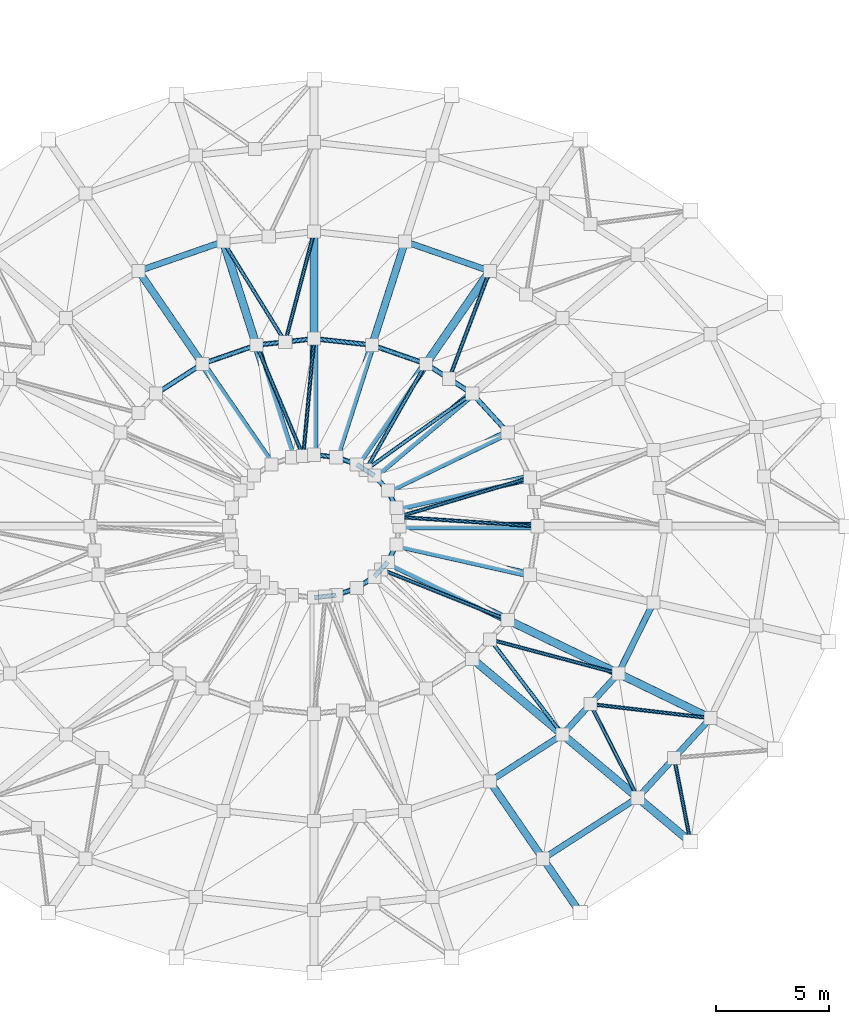
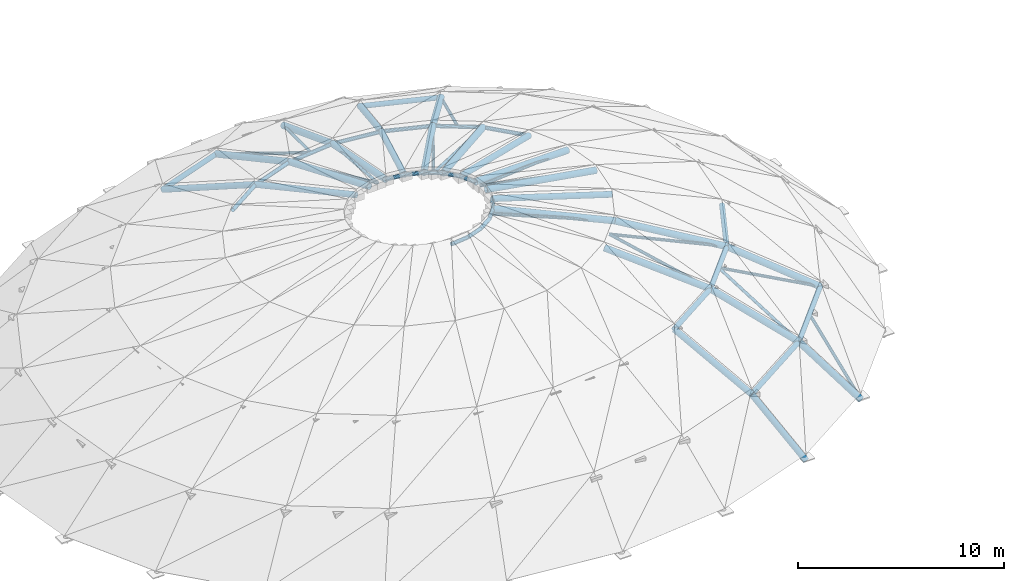
# One storey, part 3 of 11: 62 members.
"""IFC4 building model written with IfcOpenShell, lengths in metres."""

import ifcopenshell
import ifcopenshell.guid

model = None  # the IFC model being written
_history = None  # IfcOwnerHistory: only IFC2X3 demands one
_inside = {}  # id of a spatial element -> (the spatial element, [elements in it])
_under = {}  # id of a project, library or spatial element -> (it, [spatial elements below it])
_declared = {}  # id of a project -> (the project, [libraries it declares])
_typed = {}  # id of a type object -> (the type object, [elements of that type])
_made_of = {}  # id of a material, layer set ... -> (it, [elements and type objects made of it])


def new_model(schema):
    """Start an empty IFC model of exactly this schema.

    Asked for "IFC4X3", IfcOpenShell would pick the latest addendum, in which some entities
    have other attributes; the version numbers below select the first issue.
    IFC2X3 requires an IfcOwnerHistory on every rooted entity: one is made here for all.
    """
    global model, _history
    if schema == "IFC4X3":
        model = ifcopenshell.file(schema_version=(4, 3, 0, 0))
    else:
        model = ifcopenshell.file(schema=schema)
    _inside.clear()
    _under.clear()
    _declared.clear()
    _typed.clear()
    _made_of.clear()
    _history = None
    if model.schema == "IFC2X3":
        org = make("IfcOrganization", Name="unknown")
        user = make(
            "IfcPersonAndOrganization",
            ThePerson=make("IfcPerson", FamilyName="unknown"),
            TheOrganization=org,
        )
        app = make(
            "IfcApplication",
            ApplicationDeveloper=org,
            Version="unknown",
            ApplicationFullName="unknown",
            ApplicationIdentifier="unknown",
        )
        _history = make(
            "IfcOwnerHistory",
            OwningUser=user,
            OwningApplication=app,
            ChangeAction="ADDED",
            CreationDate=0,
        )
    return model


def make(cls, **values):
    """One entity of the class cls with the attributes given. An attribute that is None is left unset."""
    return model.create_entity(
        cls, **{name: value for name, value in values.items() if value is not None}
    )


def rooted(cls, **values):
    """An entity with a GlobalId (a new one), such as an element, a storey or a relation."""
    return make(cls, GlobalId=ifcopenshell.guid.new(), OwnerHistory=_history, **values)


def si_unit(unit_type, name, prefix=None):
    """IfcSIUnit, for example si_unit("LENGTHUNIT", "METRE", prefix="MILLI")."""
    return make("IfcSIUnit", UnitType=unit_type, Prefix=prefix, Name=name)


def assignment(units):
    """IfcUnitAssignment: the units of a project."""
    return None if units is None else make("IfcUnitAssignment", Units=units)


def point(xyz):
    """IfcCartesianPoint."""
    return None if xyz is None else make("IfcCartesianPoint", Coordinates=xyz)


def direction(xyz):
    """IfcDirection."""
    return None if xyz is None else make("IfcDirection", DirectionRatios=xyz)


def frame(location, z_axis=None, x_axis=None):
    """IfcAxis2Placement3D, a coordinate frame: its origin and axes. An axis left out is left unset."""
    return make(
        "IfcAxis2Placement3D",
        Location=point(location),
        Axis=direction(z_axis),
        RefDirection=direction(x_axis),
    )


def frame_2d(location, x_axis=None):
    """IfcAxis2Placement2D, a coordinate frame in the plane: its origin and x axis."""
    return make(
        "IfcAxis2Placement2D", Location=point(location), RefDirection=direction(x_axis)
    )


def origin():
    """The frame at (0, 0, 0) with its axes left unset."""
    return frame((0.0, 0.0, 0.0))


def origin_2d():
    """The frame at (0, 0) in the plane with its x axis left unset."""
    return frame_2d((0.0, 0.0))


def place(relative_to, where):
    """IfcLocalPlacement: puts the frame where relative to a parent placement (None: the world)."""
    return make(
        "IfcLocalPlacement", PlacementRelTo=relative_to, RelativePlacement=where
    )


def context(
    kind, dimensions, precision=None, world=None, true_north=None, identifier=None
):
    """IfcGeometricRepresentationContext, for example the 3D "Model" context."""
    return make(
        "IfcGeometricRepresentationContext",
        ContextIdentifier=identifier,
        ContextType=kind,
        CoordinateSpaceDimension=dimensions,
        Precision=precision,
        WorldCoordinateSystem=world,
        TrueNorth=true_north,
    )


def subcontext(parent, identifier, kind, view, scale=None):
    """IfcGeometricRepresentationSubContext, for example "Body" below "Model"."""
    return make(
        "IfcGeometricRepresentationSubContext",
        ContextIdentifier=identifier,
        ContextType=kind,
        ParentContext=parent,
        TargetScale=scale,
        TargetView=view,
    )


def project(units=None, contexts=None):
    """IfcProject with its units and contexts."""
    return rooted(
        "IfcProject",
        Name="project",
        RepresentationContexts=contexts,
        UnitsInContext=assignment(units),
    )


def spatial(cls, under=None, at=None, **own):
    """A site, building, storey or space (cls), placed at a placement, below another one or the project."""
    s = rooted(cls, ObjectPlacement=at, **own)
    if under is not None:
        _under.setdefault(under.id(), (under, []))[1].append(s)
    return s


def profile(cls, at=None, kind="AREA", **sizes):
    """A parametric profile (cls). Its sizes go by their IFC names, for example OverallWidth=200.0."""
    return make(cls, ProfileType=kind, Position=at, **sizes)


def hollow_circle(**sizes):
    """IfcCircleHollowProfileDef."""
    return profile("IfcCircleHollowProfileDef", **sizes)


def extrude(swept, where, along, depth):
    """IfcExtrudedAreaSolid: the profile swept, set in the frame where, extruded along a direction by depth."""
    return make(
        "IfcExtrudedAreaSolid",
        SweptArea=swept,
        Position=where,
        ExtrudedDirection=direction(along),
        Depth=depth,
    )


def shape(context_of_items, identifier, shape_type, items):
    """IfcShapeRepresentation: the items that make up one representation, for example the "Body"."""
    return make(
        "IfcShapeRepresentation",
        ContextOfItems=context_of_items,
        RepresentationIdentifier=identifier,
        RepresentationType=shape_type,
        Items=items,
    )


def material(Name=None, Category=None):
    """IfcMaterial."""
    return make("IfcMaterial", Name=Name, Category=Category)


def material_profile(
    of_material, cross_section, Name=None, Category=None, Priority=None
):
    """IfcMaterialProfile: a cross section and its material."""
    return make(
        "IfcMaterialProfile",
        Name=Name,
        Material=of_material,
        Profile=cross_section,
        Priority=Priority,
        Category=Category,
    )


def profile_set(profiles, Name=None, composite=None):
    """IfcMaterialProfileSet."""
    return make(
        "IfcMaterialProfileSet",
        Name=Name,
        MaterialProfiles=profiles,
        CompositeProfile=composite,
    )


def made_of(thing, what):
    """Note that an element or type object is made of a material, layer set ...; save() writes the relation."""
    if what is not None:
        _made_of.setdefault(what.id(), (what, []))[1].append(thing)
    return thing


def type_object(cls, material=None, **own):
    """A type object (cls), such as IfcWallType, which elements share."""
    return made_of(rooted(cls, **own), material)


def element(
    cls,
    number,
    at=None,
    inside=None,
    cuts=None,
    type_object=None,
    material=None,
    context=None,
    identifier="Body",
    shape_type=None,
    held_by="IfcProductDefinitionShape",
    body=None,
    shapes=None,
    **own,
):
    """One element of the class cls, such as IfcWall. Its Tag is "e" and its number.

    at: its placement. inside: the storey or other place that contains it. cuts: it is an
    opening in that element (IfcRelVoidsElement). A single representation is given by context,
    identifier, shape_type and body (its items); several are given by shapes. held_by: the class
    of the entity that holds the representations. save() writes the other relations.
    """
    e = rooted(cls, Tag="e%d" % number, ObjectPlacement=at, **own)
    if body is not None:
        shapes = [shape(context, identifier, shape_type, body)]
    if shapes is not None:
        e.Representation = make(held_by, Representations=shapes)
    if inside is not None:
        _inside.setdefault(inside.id(), (inside, []))[1].append(e)
    if cuts is not None:
        rooted(
            "IfcRelVoidsElement", RelatingBuildingElement=cuts, RelatedOpeningElement=e
        )
    if type_object is not None:
        _typed.setdefault(type_object.id(), (type_object, []))[1].append(e)
    return made_of(e, material)


def aggregate(whole, parts):
    """IfcRelAggregates: a whole, such as a stair, and the parts it consists of."""
    return rooted("IfcRelAggregates", RelatingObject=whole, RelatedObjects=parts)


def save(model, path):
    """Write the relations noted so far, then the file.

    IfcRelAggregates (storeys below a building ...), IfcRelContainedInSpatialStructure (elements
    in a storey), IfcRelDefinesByType, IfcRelAssociatesMaterial and IfcRelDeclares: one each for
    every whole, place, type object, material and project.
    """
    for whole, parts in _under.values():
        aggregate(whole, parts)
    for where, things in _inside.values():
        rooted(
            "IfcRelContainedInSpatialStructure",
            RelatedElements=things,
            RelatingStructure=where,
        )
    for kind, things in _typed.values():
        rooted("IfcRelDefinesByType", RelatedObjects=things, RelatingType=kind)
    for what, things in _made_of.values():
        rooted("IfcRelAssociatesMaterial", RelatedObjects=things, RelatingMaterial=what)
    for by, libraries in _declared.values():
        rooted("IfcRelDeclares", RelatingContext=by, RelatedDefinitions=libraries)
    model.write(path)


model = new_model("IFC4")

# Units and contexts
model_context = context("Model", 3, precision=1e-05, world=origin(), true_north=direction((0.0, 1.0)))
body_context = subcontext(model_context, "Body", "Model", "MODEL_VIEW")
ifc_project = project(units=[si_unit("LENGTHUNIT", "METRE"), si_unit("AREAUNIT", "SQUARE_METRE"), si_unit("VOLUMEUNIT", "CUBIC_METRE"), si_unit("PLANEANGLEUNIT", "RADIAN"), si_unit("MASSUNIT", "GRAM", prefix="KILO")], contexts=[model_context])

# Site, building, storey
site_placement = place(None, origin())
site = spatial("IfcSite", under=ifc_project, at=site_placement, CompositionType="ELEMENT")
building_placement = place(site_placement, origin())
building = spatial("IfcBuilding", under=site, at=building_placement, Name="Parian Resonance Hall", CompositionType="ELEMENT")
storey_placement = place(building_placement, frame((0.0, 0.0, 27.60009765625)))
storey = spatial("IfcBuildingStorey", under=building, at=storey_placement, Name="ROOF", CompositionType="ELEMENT", Elevation=27.60009765625)

# Members
ifc_material_1 = material(Name="Hollow structural steel S355", Category="steel")
ifc_material_profile_1 = material_profile(ifc_material_1, hollow_circle(Radius=0.084228515625, WallThickness=0.008056640625, at=origin_2d()), Name="CHS168.3x8")
ifc_profile_set_1 = profile_set([ifc_material_profile_1], Name="Hollow structural steel S355")
member_type_1 = type_object("IfcMemberType", Name="MEM-CHS168", PredefinedType="BRACE", material=ifc_profile_set_1)
member_1_placement = place(storey_placement, frame((53.912109375, 44.0, 0.60986328125), z_axis=(-0.984896799175, 0.065111695311, 0.160433045564), x_axis=(-0.065966173276, -0.997821859844, 0.0)))
element("IfcMember", 1, at=member_1_placement, inside=storey, type_object=member_type_1, Name="Dome sector K-brace 1.4A", PredefinedType="BRACE", context=body_context, shape_type="SweptSolid", body=[
    extrude(hollow_circle(Radius=0.084228515625, WallThickness=0.008056640625, at=origin_2d()), origin(), (0.0, 0.0, 1.0), 6.29541015625),
])
member_2_placement = place(storey_placement, frame((53.57421875, 46.15234375, 0.60986328125), z_axis=(-0.945748733242, -0.281089772588, 0.162935181336), x_axis=(0.284896914022, -0.958558161188, 0.0)))
element("IfcMember", 2, at=member_2_placement, inside=storey, type_object=member_type_1, Name="Dome sector K-brace 1.4B", PredefinedType="BRACE", context=body_context, shape_type="SweptSolid", body=[
    extrude(hollow_circle(Radius=0.084228515625, WallThickness=0.008056640625, at=origin_2d()), origin(), (0.0, 0.0, 1.0), 6.19873046875),
])
member_3_placement = place(storey_placement, frame((51.7880859375, 55.317138671875, -1.190185546875), z_axis=(-0.333514407723, -0.882171762884, 0.332477248262), x_axis=(0.935384598933, -0.353632085759, 0.0)))
element("IfcMember", 3, at=member_3_placement, inside=storey, type_object=member_type_1, Name="Dome sector K-brace 2.3B", PredefinedType="BRACE", context=body_context, shape_type="SweptSolid", body=[
    extrude(hollow_circle(Radius=0.084228515625, WallThickness=0.008056640625, at=origin_2d()), origin(), (0.0, 0.0, 1.0), 5.4140625),
])
member_4_placement = place(storey_placement, frame((51.0087890625, 49.88037109375, 0.60986328125), z_axis=(-0.800918636293, -0.573827010362, 0.171031869011), x_axis=(0.582408510243, -0.812896258569, 0.0)))
element("IfcMember", 4, at=member_4_placement, inside=storey, type_object=member_type_1, Name="Dome sector K-brace 2.4A", PredefinedType="BRACE", context=body_context, shape_type="SweptSolid", body=[
    extrude(hollow_circle(Radius=0.084228515625, WallThickness=0.008056640625, at=origin_2d()), origin(), (0.0, 0.0, 1.0), 5.9052734375),
])
member_5_placement = place(storey_placement, frame((48.9560546875, 51.201904296875, 0.60986328125), z_axis=(-0.485745159588, -0.854672263012, 0.1832674624), x_axis=(0.869397165305, -0.494113923058, 0.0)))
element("IfcMember", 5, at=member_5_placement, inside=storey, type_object=member_type_1, Name="Dome sector K-brace 2.4B", PredefinedType="BRACE", context=body_context, shape_type="SweptSolid", body=[
    extrude(hollow_circle(Radius=0.084228515625, WallThickness=0.008056640625, at=origin_2d()), origin(), (0.0, 0.0, 1.0), 5.51123046875),
])
member_6_placement = place(storey_placement, frame((44.0, 57.068115234375, -1.190185546875), z_axis=(-0.238875521293, -0.911355124537, 0.335216828796), x_axis=(0.967323487086, -0.253545402901, 0.0)))
element("IfcMember", 6, at=member_6_placement, inside=storey, type_object=member_type_1, Name="Dome sector K-brace 3.3A", PredefinedType="BRACE", context=body_context, shape_type="SweptSolid", body=[
    extrude(hollow_circle(Radius=0.084228515625, WallThickness=0.008056640625, at=origin_2d()), origin(), (0.0, 0.0, 1.0), 5.369873046875),
])
member_7_placement = place(storey_placement, frame((39.968505859375, 56.622802734375, -1.190185546875), z_axis=(0.49703351156, -0.804374066448, 0.325484330823), x_axis=(0.850696683556, 0.525656877238, 0.0)))
element("IfcMember", 7, at=member_7_placement, inside=storey, type_object=member_type_1, Name="Dome sector K-brace 3.3B", PredefinedType="BRACE", context=body_context, shape_type="SweptSolid", body=[
    extrude(hollow_circle(Radius=0.084228515625, WallThickness=0.008056640625, at=origin_2d()), origin(), (0.0, 0.0, 1.0), 5.5302734375),
])
member_8_placement = place(storey_placement, frame((44.0, 52.31591796875, 0.60986328125), z_axis=(-0.091801835656, -0.97752209511, 0.189797198455), x_axis=(0.995619149978, -0.093501380725, 0.0)))
element("IfcMember", 8, at=member_8_placement, inside=storey, type_object=member_type_1, Name="Dome sector K-brace 3.4A", PredefinedType="BRACE", context=body_context, shape_type="SweptSolid", body=[
    extrude(hollow_circle(Radius=0.084228515625, WallThickness=0.008056640625, at=origin_2d()), origin(), (0.0, 0.0, 1.0), 5.321533203125),
])
member_9_placement = place(storey_placement, frame((41.4345703125, 52.03271484375, 0.60986328125), z_axis=(0.382212441262, -0.905187969213, 0.185871972434), x_axis=(0.921241550544, 0.388991009603, 0.0)))
element("IfcMember", 9, at=member_9_placement, inside=storey, type_object=member_type_1, Name="Dome sector K-brace 3.4B", PredefinedType="BRACE", context=body_context, shape_type="SweptSolid", body=[
    extrude(hollow_circle(Radius=0.084228515625, WallThickness=0.008056640625, at=origin_2d()), origin(), (0.0, 0.0, 1.0), 5.433837890625),
])
member_10_placement = place(storey_placement, frame((60.687744140625, 29.999267578125, -6.830078125), z_axis=(-0.148865689703, 0.765975247523, 0.625396615446), x_axis=(-0.98163313968, -0.190778350666, 0.0)))
element("IfcMember", 10, at=member_10_placement, inside=storey, type_object=member_type_1, Name="Dome sector K-brace 8.1A", PredefinedType="BRACE", context=body_context, shape_type="SweptSolid", body=[
    extrude(hollow_circle(Radius=0.084228515625, WallThickness=0.008056640625, at=origin_2d()), origin(), (0.0, 0.0, 1.0), 4.861083984375),
])
member_11_placement = place(storey_placement, frame((58.351318359375, 31.95947265625, -3.7900390625), z_axis=(-0.39390088058, 0.779100311641, 0.487693346971), x_axis=(-0.892424880434, -0.451196002622, 0.0)))
element("IfcMember", 11, at=member_11_placement, inside=storey, type_object=member_type_1, Name="Dome sector K-brace 8.2A", PredefinedType="BRACE", context=body_context, shape_type="SweptSolid", body=[
    extrude(hollow_circle(Radius=0.084228515625, WallThickness=0.008056640625, at=origin_2d()), origin(), (0.0, 0.0, 1.0), 5.330810546875),
])
member_12_placement = place(storey_placement, frame((61.576904296875, 35.486083984375, -3.7900390625), z_axis=(-0.89364700282, 0.1051662704, 0.436274099529), x_axis=(-0.116875589261, -0.993146563522, 0.0)))
element("IfcMember", 12, at=member_12_placement, inside=storey, type_object=member_type_1, Name="Dome sector K-brace 8.2B", PredefinedType="BRACE", context=body_context, shape_type="SweptSolid", body=[
    extrude(hollow_circle(Radius=0.084228515625, WallThickness=0.008056640625, at=origin_2d()), origin(), (0.0, 0.0, 1.0), 5.959228515625),
])
member_13_placement = place(storey_placement, frame((55.013916015625, 34.759521484375, -1.190185546875), z_axis=(-0.574072177053, 0.753189317355, 0.321165047531), x_axis=(-0.795322952575, -0.606185945983, 0.0)))
element("IfcMember", 13, at=member_13_placement, inside=storey, type_object=member_type_1, Name="Dome sector K-brace 8.3A", PredefinedType="BRACE", context=body_context, shape_type="SweptSolid", body=[
    extrude(hollow_circle(Radius=0.084228515625, WallThickness=0.008056640625, at=origin_2d()), origin(), (0.0, 0.0, 1.0), 5.604736328125),
])
member_14_placement = place(storey_placement, frame((57.4892578125, 37.466064453125, -1.190185546875), z_axis=(-0.924188616424, 0.245929769488, 0.292222431979), x_axis=(-0.257154463998, -0.966370312895, 0.0)))
element("IfcMember", 14, at=member_14_placement, inside=storey, type_object=member_type_1, Name="Dome sector K-brace 8.3B", PredefinedType="BRACE", context=body_context, shape_type="SweptSolid", body=[
    extrude(hollow_circle(Radius=0.084228515625, WallThickness=0.008056640625, at=origin_2d()), origin(), (0.0, 0.0, 1.0), 6.159912109375),
])
member_15_placement = place(storey_placement, frame((52.583984375, 39.842041015625, 0.60986328125), z_axis=(-0.915768326015, 0.366363087371, 0.164761831988), x_axis=(-0.371439408198, -0.928457196664, 0.0)))
element("IfcMember", 15, at=member_15_placement, inside=storey, type_object=member_type_1, Name="Dome sector K-brace 8.4B", PredefinedType="BRACE", context=body_context, shape_type="SweptSolid", body=[
    extrude(hollow_circle(Radius=0.084228515625, WallThickness=0.008056640625, at=origin_2d()), origin(), (0.0, 0.0, 1.0), 6.130126953125),
])
ifc_material_2 = material(Name="Hollow structural steel S355", Category="steel")
ifc_material_profile_2 = material_profile(ifc_material_2, hollow_circle(Radius=0.109619140625, WallThickness=0.010009765625, at=origin_2d()), Name="CHS219.1x10")
ifc_profile_set_2 = profile_set([ifc_material_profile_2], Name="Hollow structural steel S355")
member_type_2 = type_object("IfcMemberType", Name="MEM-CHS219", PredefinedType="CHORD", material=ifc_profile_set_2)
member_16_placement = place(storey_placement, frame((52.583984375, 48.157958984375, 0.60986328125), z_axis=(-0.674866861926, 0.737939508817, 0.0), x_axis=(-0.737939508817, -0.674866861926, 0.0)))
element("IfcMember", 16, at=member_16_placement, inside=storey, type_object=member_type_2, Name="Dome tubular hoop ring J3-03", PredefinedType="CHORD", context=body_context, shape_type="SweptSolid", body=[
    extrude(hollow_circle(Radius=0.109619140625, WallThickness=0.010009765625, at=origin_2d()), origin(), (0.0, 0.0, 1.0), 2.333984375),
])
member_17_placement = place(storey_placement, frame((51.0087890625, 49.88037109375, 0.60986328125), z_axis=(-0.840820882046, 0.541313443686, 0.0), x_axis=(-0.541313443686, -0.840820882046, 0.0)))
element("IfcMember", 17, at=member_17_placement, inside=storey, type_object=member_type_2, Name="Dome tubular hoop ring J3-04", PredefinedType="CHORD", context=body_context, shape_type="SweptSolid", body=[
    extrude(hollow_circle(Radius=0.109619140625, WallThickness=0.010009765625, at=origin_2d()), origin(), (0.0, 0.0, 1.0), 2.44140625),
])
member_18_placement = place(storey_placement, frame((48.9560546875, 51.201904296875, 0.60986328125), z_axis=(-0.944583955965, 0.32826993486, 0.0), x_axis=(-0.32826993486, -0.944583955965, 0.0)))
element("IfcMember", 18, at=member_18_placement, inside=storey, type_object=member_type_2, Name="Dome tubular hoop ring J3-05", PredefinedType="CHORD", context=body_context, shape_type="SweptSolid", body=[
    extrude(hollow_circle(Radius=0.109619140625, WallThickness=0.010009765625, at=origin_2d()), origin(), (0.0, 0.0, 1.0), 2.53076171875),
])
for number, where, z_axis, x_axis, name in (
    (19, (46.5654296875, 52.03271484375, 0.60986328125), (-0.993961925235, 0.109725526577, 0.0), (-0.109725526577, -0.993961925235, 0.0), "Dome tubular hoop ring J3-06"),
    (20, (44.0, 52.31591796875, 0.60986328125), (-0.993961925235, -0.109725526577, 0.0), (0.109725526577, -0.993961925235, 0.0), "Dome tubular hoop ring J3-07"),
):
    element("IfcMember", number, at=place(storey_placement, frame(where, z_axis=z_axis, x_axis=x_axis)), inside=storey, type_object=member_type_2, Name=name, PredefinedType="CHORD", context=body_context, shape_type="SweptSolid", body=[
        extrude(hollow_circle(Radius=0.109619140625, WallThickness=0.010009765625, at=origin_2d()), origin(), (0.0, 0.0, 1.0), 2.5810546875),
    ])
member_19_placement = place(storey_placement, frame((41.4345703125, 52.03271484375, 0.60986328125), z_axis=(-0.944583955965, -0.32826993486, 0.0), x_axis=(0.32826993486, -0.944583955965, 0.0)))
element("IfcMember", 21, at=member_19_placement, inside=storey, type_object=member_type_2, Name="Dome tubular hoop ring J3-08", PredefinedType="CHORD", context=body_context, shape_type="SweptSolid", body=[
    extrude(hollow_circle(Radius=0.109619140625, WallThickness=0.010009765625, at=origin_2d()), origin(), (0.0, 0.0, 1.0), 2.53076171875),
])
member_20_placement = place(storey_placement, frame((39.0439453125, 51.201904296875, 0.60986328125), z_axis=(-0.840820882046, -0.541313443686, 0.0), x_axis=(0.541313443686, -0.840820882046, 0.0)))
element("IfcMember", 22, at=member_20_placement, inside=storey, type_object=member_type_2, Name="Dome tubular hoop ring J3-09", PredefinedType="CHORD", context=body_context, shape_type="SweptSolid", body=[
    extrude(hollow_circle(Radius=0.109619140625, WallThickness=0.010009765625, at=origin_2d()), origin(), (0.0, 0.0, 1.0), 2.44140625),
])
member_21_placement = place(storey_placement, frame((47.647216796875, 44.81982421875, 1.619873046875), z_axis=(-0.442623915092, 0.896707349021, 0.0), x_axis=(-0.896707349021, -0.442623915092, 0.0)))
element("IfcMember", 23, at=member_21_placement, inside=storey, type_object=member_type_2, Name="Dome tubular hoop ring J4-02", PredefinedType="CHORD", context=body_context, shape_type="SweptSolid", body=[
    extrude(hollow_circle(Radius=0.109619140625, WallThickness=0.010009765625, at=origin_2d()), origin(), (0.0, 0.0, 1.0), 0.852294921875),
])
member_22_placement = place(storey_placement, frame((47.27001953125, 45.583984375, 1.619873046875), z_axis=(-0.674965754228, 0.737849056799, 0.0), x_axis=(-0.737849056799, -0.674965754228, 0.0)))
element("IfcMember", 24, at=member_22_placement, inside=storey, type_object=member_type_2, Name="Dome tubular hoop ring J4-03", PredefinedType="CHORD", context=body_context, shape_type="SweptSolid", body=[
    extrude(hollow_circle(Radius=0.109619140625, WallThickness=0.010009765625, at=origin_2d()), origin(), (0.0, 0.0, 1.0), 0.88916015625),
])
member_23_placement = place(storey_placement, frame((46.669921875, 46.239990234375, 1.619873046875), z_axis=(-0.840709114229, 0.541487013005, 0.0), x_axis=(-0.541487013005, -0.840709114229, 0.0)))
element("IfcMember", 25, at=member_23_placement, inside=storey, type_object=member_type_2, Name="Dome tubular hoop ring J4-04", PredefinedType="CHORD", context=body_context, shape_type="SweptSolid", body=[
    extrude(hollow_circle(Radius=0.109619140625, WallThickness=0.010009765625, at=origin_2d()), origin(), (0.0, 0.0, 1.0), 0.93017578125),
])
member_24_placement = place(storey_placement, frame((45.887939453125, 46.74365234375, 1.619873046875), z_axis=(-0.944606071341, 0.328206291812, 0.0), x_axis=(-0.328206291812, -0.944606071341, 0.0)))
element("IfcMember", 26, at=member_24_placement, inside=storey, type_object=member_type_2, Name="Dome tubular hoop ring J4-05", PredefinedType="CHORD", context=body_context, shape_type="SweptSolid", body=[
    extrude(hollow_circle(Radius=0.109619140625, WallThickness=0.010009765625, at=origin_2d()), origin(), (0.0, 0.0, 1.0), 0.964111328125),
])
for number, where, z_axis, x_axis, name in (
    (27, (44.977294921875, 47.06005859375, 1.619873046875), (-0.993959203455, 0.109750179347, 0.0), (-0.109750179347, -0.993959203455, 0.0), "Dome tubular hoop ring J4-06"),
    (28, (44.0, 40.83203125, 1.619873046875), (0.993959203455, 0.109750179347, 0.0), (-0.109750179347, 0.993959203455, 0.0), "Dome tubular hoop ring J4-19"),
):
    element("IfcMember", number, at=place(storey_placement, frame(where, z_axis=z_axis, x_axis=x_axis)), inside=storey, type_object=member_type_2, Name=name, PredefinedType="CHORD", context=body_context, shape_type="SweptSolid", body=[
        extrude(hollow_circle(Radius=0.109619140625, WallThickness=0.010009765625, at=origin_2d()), origin(), (0.0, 0.0, 1.0), 0.983154296875),
    ])
member_25_placement = place(storey_placement, frame((44.977294921875, 40.93994140625, 1.619873046875), z_axis=(0.944606071341, 0.328206291812, 0.0), x_axis=(-0.328206291812, 0.944606071341, 0.0)))
element("IfcMember", 29, at=member_25_placement, inside=storey, type_object=member_type_2, Name="Dome tubular hoop ring J4-20", PredefinedType="CHORD", context=body_context, shape_type="SweptSolid", body=[
    extrude(hollow_circle(Radius=0.109619140625, WallThickness=0.010009765625, at=origin_2d()), origin(), (0.0, 0.0, 1.0), 0.964111328125),
])
member_26_placement = place(storey_placement, frame((45.887939453125, 41.25634765625, 1.619873046875), z_axis=(0.840709114229, 0.541487013005, 0.0), x_axis=(-0.541487013005, 0.840709114229, 0.0)))
element("IfcMember", 30, at=member_26_placement, inside=storey, type_object=member_type_2, Name="Dome tubular hoop ring J4-21", PredefinedType="CHORD", context=body_context, shape_type="SweptSolid", body=[
    extrude(hollow_circle(Radius=0.109619140625, WallThickness=0.010009765625, at=origin_2d()), origin(), (0.0, 0.0, 1.0), 0.93017578125),
])
member_27_placement = place(storey_placement, frame((46.669921875, 41.760009765625, 1.619873046875), z_axis=(0.674965754228, 0.737849056799, 0.0), x_axis=(-0.737849056799, 0.674965754228, 0.0)))
element("IfcMember", 31, at=member_27_placement, inside=storey, type_object=member_type_2, Name="Dome tubular hoop ring J4-22", PredefinedType="CHORD", context=body_context, shape_type="SweptSolid", body=[
    extrude(hollow_circle(Radius=0.109619140625, WallThickness=0.010009765625, at=origin_2d()), origin(), (0.0, 0.0, 1.0), 0.88916015625),
])
member_28_placement = place(storey_placement, frame((47.27001953125, 42.416015625, 1.619873046875), z_axis=(0.442623915092, 0.896707349021, 0.0), x_axis=(-0.896707349021, 0.442623915092, 0.0)))
element("IfcMember", 32, at=member_28_placement, inside=storey, type_object=member_type_2, Name="Dome tubular hoop ring J4-23", PredefinedType="CHORD", context=body_context, shape_type="SweptSolid", body=[
    extrude(hollow_circle(Radius=0.109619140625, WallThickness=0.010009765625, at=origin_2d()), origin(), (0.0, 0.0, 1.0), 0.852294921875),
])
ifc_material_3 = material(Name="Hollow structural steel S355", Category="steel")
ifc_material_profile_3 = material_profile(ifc_material_3, hollow_circle(Radius=0.136474609375, WallThickness=0.012451171875, at=origin_2d()), Name="CHS273x12.5")
ifc_profile_set_3 = profile_set([ifc_material_profile_3], Name="Hollow structural steel S355")
member_type_3 = type_object("IfcMemberType", Name="MEM-CHS273", PredefinedType="CHORD", material=ifc_profile_set_3)
member_29_placement = place(storey_placement, frame((54.14794921875, 29.25341796875, -3.7900390625), z_axis=(0.84082444834, 0.54130790413, 0.0), x_axis=(-0.54130790413, 0.84082444834, 0.0)))
element("IfcMember", 33, at=member_29_placement, inside=storey, type_object=member_type_3, Name="Dome tubular hoop ring J1-21", PredefinedType="CHORD", context=body_context, shape_type="SweptSolid", body=[
    extrude(hollow_circle(Radius=0.136474609375, WallThickness=0.012451171875, at=origin_2d()), origin(), (0.0, 0.0, 1.0), 4.9990234375),
])
member_30_placement = place(storey_placement, frame((58.351318359375, 31.95947265625, -3.7900390625), z_axis=(0.674912283642, 0.737897966788, 0.0), x_axis=(-0.737897966788, 0.674912283642, 0.0)))
element("IfcMember", 34, at=member_30_placement, inside=storey, type_object=member_type_3, Name="Dome tubular hoop ring J1-22", PredefinedType="CHORD", context=body_context, shape_type="SweptSolid", body=[
    extrude(hollow_circle(Radius=0.136474609375, WallThickness=0.012451171875, at=origin_2d()), origin(), (0.0, 0.0, 1.0), 4.779296875),
])
for number, where, z_axis, x_axis, name in (
    (35, (51.7880859375, 55.317138671875, -1.190185546875), (-0.944572962481, 0.328301566475, 0.0), (-0.328301566475, -0.944572962481, 0.0), "Dome tubular hoop ring J2-05"),
    (36, (39.968505859375, 56.622802734375, -1.190185546875), (-0.944572962481, -0.328301566475, 0.0), (0.328301566475, -0.944572962481, 0.0), "Dome tubular hoop ring J2-08"),
):
    element("IfcMember", number, at=place(storey_placement, frame(where, z_axis=z_axis, x_axis=x_axis)), inside=storey, type_object=member_type_3, Name=name, PredefinedType="CHORD", context=body_context, shape_type="SweptSolid", body=[
        extrude(hollow_circle(Radius=0.136474609375, WallThickness=0.012451171875, at=origin_2d()), origin(), (0.0, 0.0, 1.0), 3.97705078125),
    ])
member_31_placement = place(storey_placement, frame((51.7880859375, 32.682861328125, -1.190185546875), z_axis=(0.840833011085, 0.541294603216, 0.0), x_axis=(-0.541294603216, 0.840833011085, 0.0)))
element("IfcMember", 37, at=member_31_placement, inside=storey, type_object=member_type_3, Name="Dome tubular hoop ring J2-21", PredefinedType="CHORD", context=body_context, shape_type="SweptSolid", body=[
    extrude(hollow_circle(Radius=0.136474609375, WallThickness=0.012451171875, at=origin_2d()), origin(), (0.0, 0.0, 1.0), 3.83642578125),
])
member_32_placement = place(storey_placement, frame((55.013916015625, 34.759521484375, -1.190185546875), z_axis=(0.674886246736, 0.737921780385, 0.0), x_axis=(-0.737921780385, 0.674886246736, 0.0)))
element("IfcMember", 38, at=member_32_placement, inside=storey, type_object=member_type_3, Name="Dome tubular hoop ring J2-22", PredefinedType="CHORD", context=body_context, shape_type="SweptSolid", body=[
    extrude(hollow_circle(Radius=0.136474609375, WallThickness=0.012451171875, at=origin_2d()), origin(), (0.0, 0.0, 1.0), 3.667724609375),
])
member_33_placement = place(storey_placement, frame((57.4892578125, 37.466064453125, -1.190185546875), z_axis=(0.442707238803, 0.896666214771, 0.0), x_axis=(-0.896666214771, 0.442707238803, 0.0)))
element("IfcMember", 39, at=member_33_placement, inside=storey, type_object=member_type_3, Name="Dome tubular hoop ring J2-23", PredefinedType="CHORD", context=body_context, shape_type="SweptSolid", body=[
    extrude(hollow_circle(Radius=0.136474609375, WallThickness=0.012451171875, at=origin_2d()), origin(), (0.0, 0.0, 1.0), 3.51513671875),
])
ifc_material_4 = material(Name="Hollow structural steel S355", Category="steel")
ifc_material_profile_4 = material_profile(ifc_material_4, hollow_circle(Radius=0.161865234375, WallThickness=0.01416015625, at=origin_2d()), Name="CHS323.9x14.2")
ifc_profile_set_4 = profile_set([ifc_material_profile_4], Name="Hollow structural steel S355")
member_type_4 = type_object("IfcMemberType", Name="MEM-CHS323", PredefinedType="CHORD", material=ifc_profile_set_4)
member_34_placement = place(storey_placement, frame((52.583984375, 48.157958984375, 0.60986328125), z_axis=(-0.887095027096, -0.429690474624, 0.168607558904), x_axis=(0.435931593455, -0.899979803011, 0.0)))
element("IfcMember", 40, at=member_34_placement, inside=storey, type_object=member_type_4, Name="Dome meridional arch rib 03.4", PredefinedType="CHORD", context=body_context, shape_type="SweptSolid", body=[
    extrude(hollow_circle(Radius=0.161865234375, WallThickness=0.01416015625, at=origin_2d()), origin(), (0.0, 0.0, 1.0), 5.990234375),
])
member_35_placement = place(storey_placement, frame((48.031494140625, 56.622802734375, -1.190185546875), z_axis=(-0.285017186209, -0.892357721552, 0.34994699649), x_axis=(0.952590492926, -0.30425540716, 0.0)))
element("IfcMember", 41, at=member_35_placement, inside=storey, type_object=member_type_4, Name="Dome meridional arch rib 06.3", PredefinedType="CHORD", context=body_context, shape_type="SweptSolid", body=[
    extrude(hollow_circle(Radius=0.161865234375, WallThickness=0.01416015625, at=origin_2d()), origin(), (0.0, 0.0, 1.0), 5.143798828125),
])
member_36_placement = place(storey_placement, frame((46.5654296875, 52.03271484375, 0.60986328125), z_axis=(-0.298694692892, -0.935251883908, 0.189961559492), x_axis=(0.952597223062, -0.304234335036, 0.0)))
element("IfcMember", 42, at=member_36_placement, inside=storey, type_object=member_type_4, Name="Dome meridional arch rib 06.4", PredefinedType="CHORD", context=body_context, shape_type="SweptSolid", body=[
    extrude(hollow_circle(Radius=0.161865234375, WallThickness=0.01416015625, at=origin_2d()), origin(), (0.0, 0.0, 1.0), 5.31689453125),
])
member_37_placement = place(storey_placement, frame((36.2119140625, 55.317138671875, -1.190185546875), z_axis=(0.533342710777, -0.775002132143, 0.338994466083), x_axis=(0.823779458927, 0.566910401255, 0.0)))
element("IfcMember", 43, at=member_37_placement, inside=storey, type_object=member_type_4, Name="Dome meridional arch rib 09.3", PredefinedType="CHORD", context=body_context, shape_type="SweptSolid", body=[
    extrude(hollow_circle(Radius=0.161865234375, WallThickness=0.01416015625, at=origin_2d()), origin(), (0.0, 0.0, 1.0), 5.31005859375),
])
member_38_placement = place(storey_placement, frame((39.0439453125, 51.201904296875, 0.60986328125), z_axis=(0.557291678695, -0.809795762287, 0.183457919532), x_axis=(0.823777269192, 0.566913583152, 0.0)))
element("IfcMember", 44, at=member_38_placement, inside=storey, type_object=member_type_4, Name="Dome meridional arch rib 09.4", PredefinedType="CHORD", context=body_context, shape_type="SweptSolid", body=[
    extrude(hollow_circle(Radius=0.161865234375, WallThickness=0.01416015625, at=origin_2d()), origin(), (0.0, 0.0, 1.0), 5.50537109375),
])
member_39_placement = place(storey_placement, frame((55.800048828125, 26.852783203125, -6.830078125), z_axis=(-0.392309643601, 0.570057739844, 0.721891485461), x_axis=(-0.82377539234, -0.56691631038, 0.0)))
element("IfcMember", 45, at=member_39_placement, inside=storey, type_object=member_type_4, Name="Dome meridional arch rib 21.1", PredefinedType="CHORD", context=body_context, shape_type="SweptSolid", body=[
    extrude(hollow_circle(Radius=0.161865234375, WallThickness=0.01416015625, at=origin_2d()), origin(), (0.0, 0.0, 1.0), 4.211181640625),
])
member_40_placement = place(storey_placement, frame((54.14794921875, 29.25341796875, -3.7900390625), z_axis=(-0.480811647999, 0.698733831931, 0.52970859089), x_axis=(-0.82380399977, -0.566874739217, 0.0)))
element("IfcMember", 46, at=member_40_placement, inside=storey, type_object=member_type_4, Name="Dome meridional arch rib 21.2", PredefinedType="CHORD", context=body_context, shape_type="SweptSolid", body=[
    extrude(hollow_circle(Radius=0.161865234375, WallThickness=0.01416015625, at=origin_2d()), origin(), (0.0, 0.0, 1.0), 4.908203125),
])
member_41_placement = place(storey_placement, frame((53.57421875, 41.84765625, 0.60986328125), z_axis=(-0.962435904881, 0.216376618562, 0.164006975264), x_axis=(-0.219346753665, -0.975646965688, 0.0)))
element("IfcMember", 47, at=member_41_placement, inside=storey, type_object=member_type_4, Name="Dome meridional arch rib 24.4", PredefinedType="CHORD", context=body_context, shape_type="SweptSolid", body=[
    extrude(hollow_circle(Radius=0.161865234375, WallThickness=0.01416015625, at=origin_2d()), origin(), (0.0, 0.0, 1.0), 6.158447265625),
])
ifc_material_5 = material(Name="Hollow structural steel S355", Category="steel")
ifc_material_profile_5 = material_profile(ifc_material_5, hollow_circle(Radius=0.177734375, WallThickness=0.01611328125, at=origin_2d()), Name="CHS355.6x16")
ifc_profile_set_5 = profile_set([ifc_material_profile_5], Name="Hollow structural steel S355")
member_type_5 = type_object("IfcMemberType", Name="MEM-CHS355", PredefinedType="CHORD", material=ifc_profile_set_5)
member_42_placement = place(storey_placement, frame((53.912109375, 44.0, 0.60986328125), z_axis=(-0.986722968582, 0.0, 0.16241238645), x_axis=(0.0, -1.0, 0.0)))
element("IfcMember", 48, at=member_42_placement, inside=storey, type_object=member_type_5, Name="Dome meridional arch rib 01.4", PredefinedType="CHORD", context=body_context, shape_type="SweptSolid", body=[
    extrude(hollow_circle(Radius=0.177734375, WallThickness=0.01611328125, at=origin_2d()), origin(), (0.0, 0.0, 1.0), 6.21875),
])
member_43_placement = place(storey_placement, frame((53.57421875, 46.15234375, 0.60986328125), z_axis=(-0.962435904881, -0.216376618562, 0.164006975264), x_axis=(0.219346753665, -0.975646965688, 0.0)))
element("IfcMember", 49, at=member_43_placement, inside=storey, type_object=member_type_5, Name="Dome meridional arch rib 02.4", PredefinedType="CHORD", context=body_context, shape_type="SweptSolid", body=[
    extrude(hollow_circle(Radius=0.177734375, WallThickness=0.01611328125, at=origin_2d()), origin(), (0.0, 0.0, 1.0), 6.158447265625),
])
member_44_placement = place(storey_placement, frame((51.0087890625, 49.88037109375, 0.60986328125), z_axis=(-0.75417784185, -0.63276760071, 0.17555895407), x_axis=(0.642750205838, -0.766075827118, 0.0)))
element("IfcMember", 50, at=member_44_placement, inside=storey, type_object=member_type_5, Name="Dome meridional arch rib 04.4", PredefinedType="CHORD", context=body_context, shape_type="SweptSolid", body=[
    extrude(hollow_circle(Radius=0.177734375, WallThickness=0.01611328125, at=origin_2d()), origin(), (0.0, 0.0, 1.0), 5.753173828125),
])
member_45_placement = place(storey_placement, frame((51.7880859375, 55.317138671875, -1.190185546875), z_axis=(-0.533342710777, -0.775002132143, 0.338994466083), x_axis=(0.823779458927, -0.566910401255, 0.0)))
element("IfcMember", 51, at=member_45_placement, inside=storey, type_object=member_type_5, Name="Dome meridional arch rib 05.3", PredefinedType="CHORD", context=body_context, shape_type="SweptSolid", body=[
    extrude(hollow_circle(Radius=0.177734375, WallThickness=0.01611328125, at=origin_2d()), origin(), (0.0, 0.0, 1.0), 5.31005859375),
])
member_46_placement = place(storey_placement, frame((48.9560546875, 51.201904296875, 0.60986328125), z_axis=(-0.557291678695, -0.809795762287, 0.183457919532), x_axis=(0.823777269192, -0.566913583152, 0.0)))
element("IfcMember", 52, at=member_46_placement, inside=storey, type_object=member_type_5, Name="Dome meridional arch rib 05.4", PredefinedType="CHORD", context=body_context, shape_type="SweptSolid", body=[
    extrude(hollow_circle(Radius=0.177734375, WallThickness=0.01611328125, at=origin_2d()), origin(), (0.0, 0.0, 1.0), 5.50537109375),
])
member_47_placement = place(storey_placement, frame((44.0, 57.068115234375, -1.190185546875), z_axis=(0.0, -0.935161133206, 0.35422260648), x_axis=(1.0, 0.0, 0.0)))
element("IfcMember", 53, at=member_47_placement, inside=storey, type_object=member_type_5, Name="Dome meridional arch rib 07.3", PredefinedType="CHORD", context=body_context, shape_type="SweptSolid", body=[
    extrude(hollow_circle(Radius=0.177734375, WallThickness=0.01611328125, at=origin_2d()), origin(), (0.0, 0.0, 1.0), 5.081787109375),
])
member_48_placement = place(storey_placement, frame((44.0, 52.31591796875, 0.60986328125), z_axis=(0.0, -0.981291861527, 0.192526056679), x_axis=(1.0, 0.0, 0.0)))
element("IfcMember", 54, at=member_48_placement, inside=storey, type_object=member_type_5, Name="Dome meridional arch rib 07.4", PredefinedType="CHORD", context=body_context, shape_type="SweptSolid", body=[
    extrude(hollow_circle(Radius=0.177734375, WallThickness=0.01611328125, at=origin_2d()), origin(), (0.0, 0.0, 1.0), 5.24609375),
])
member_49_placement = place(storey_placement, frame((39.968505859375, 56.622802734375, -1.190185546875), z_axis=(0.285017186209, -0.892357721552, 0.34994699649), x_axis=(0.952590492926, 0.30425540716, 0.0)))
element("IfcMember", 55, at=member_49_placement, inside=storey, type_object=member_type_5, Name="Dome meridional arch rib 08.3", PredefinedType="CHORD", context=body_context, shape_type="SweptSolid", body=[
    extrude(hollow_circle(Radius=0.177734375, WallThickness=0.01611328125, at=origin_2d()), origin(), (0.0, 0.0, 1.0), 5.143798828125),
])
member_50_placement = place(storey_placement, frame((41.4345703125, 52.03271484375, 0.60986328125), z_axis=(0.298694692892, -0.935251883908, 0.189961559492), x_axis=(0.952597223062, 0.304234335036, 0.0)))
element("IfcMember", 56, at=member_50_placement, inside=storey, type_object=member_type_5, Name="Dome meridional arch rib 08.4", PredefinedType="CHORD", context=body_context, shape_type="SweptSolid", body=[
    extrude(hollow_circle(Radius=0.177734375, WallThickness=0.01611328125, at=origin_2d()), origin(), (0.0, 0.0, 1.0), 5.31689453125),
])
member_51_placement = place(storey_placement, frame((60.687744140625, 29.999267578125, -6.830078125), z_axis=(-0.542575906684, 0.455208145744, 0.705972329157), x_axis=(-0.642732013242, -0.766091090637, 0.0)))
element("IfcMember", 57, at=member_51_placement, inside=storey, type_object=member_type_5, Name="Dome meridional arch rib 22.1", PredefinedType="CHORD", context=body_context, shape_type="SweptSolid", body=[
    extrude(hollow_circle(Radius=0.177734375, WallThickness=0.01611328125, at=origin_2d()), origin(), (0.0, 0.0, 1.0), 4.30615234375),
])
member_52_placement = place(storey_placement, frame((58.351318359375, 31.95947265625, -3.7900390625), z_axis=(-0.657844338312, 0.551925143826, 0.51246410817), x_axis=(-0.64273854319, -0.76608561212, 0.0)))
element("IfcMember", 58, at=member_52_placement, inside=storey, type_object=member_type_5, Name="Dome meridional arch rib 22.2", PredefinedType="CHORD", context=body_context, shape_type="SweptSolid", body=[
    extrude(hollow_circle(Radius=0.177734375, WallThickness=0.01611328125, at=origin_2d()), origin(), (0.0, 0.0, 1.0), 5.0732421875),
])
member_53_placement = place(storey_placement, frame((55.013916015625, 34.759521484375, -1.190185546875), z_axis=(-0.724365289825, 0.607707374817, 0.325555945253), x_axis=(-0.642721030108, -0.766100305088, 0.0)))
element("IfcMember", 59, at=member_53_placement, inside=storey, type_object=member_type_5, Name="Dome meridional arch rib 22.3", PredefinedType="CHORD", context=body_context, shape_type="SweptSolid", body=[
    extrude(hollow_circle(Radius=0.177734375, WallThickness=0.01611328125, at=origin_2d()), origin(), (0.0, 0.0, 1.0), 5.529052734375),
])
member_54_placement = place(storey_placement, frame((61.576904296875, 35.486083984375, -3.7900390625), z_axis=(-0.781069863366, 0.37833581747, 0.496781519141), x_axis=(-0.435933215664, -0.899979017245, 0.0)))
element("IfcMember", 60, at=member_54_placement, inside=storey, type_object=member_type_5, Name="Dome meridional arch rib 23.2", PredefinedType="CHORD", context=body_context, shape_type="SweptSolid", body=[
    extrude(hollow_circle(Radius=0.177734375, WallThickness=0.01611328125, at=origin_2d()), origin(), (0.0, 0.0, 1.0), 5.2333984375),
])
member_55_placement = place(storey_placement, frame((57.4892578125, 37.466064453125, -1.190185546875), z_axis=(-0.854583117069, 0.413936038986, 0.313599508369), x_axis=(-0.43592618617, -0.899982422168, 0.0)))
element("IfcMember", 61, at=member_55_placement, inside=storey, type_object=member_type_5, Name="Dome meridional arch rib 23.3", PredefinedType="CHORD", context=body_context, shape_type="SweptSolid", body=[
    extrude(hollow_circle(Radius=0.177734375, WallThickness=0.01611328125, at=origin_2d()), origin(), (0.0, 0.0, 1.0), 5.739990234375),
])
member_56_placement = place(storey_placement, frame((52.583984375, 39.842041015625, 0.60986328125), z_axis=(-0.887095027096, 0.429690474624, 0.168607558904), x_axis=(-0.435931593455, -0.899979803011, 0.0)))
element("IfcMember", 62, at=member_56_placement, inside=storey, type_object=member_type_5, Name="Dome meridional arch rib 23.4", PredefinedType="CHORD", context=body_context, shape_type="SweptSolid", body=[
    extrude(hollow_circle(Radius=0.177734375, WallThickness=0.01611328125, at=origin_2d()), origin(), (0.0, 0.0, 1.0), 5.990234375),
])

save(model, "model.ifc")
